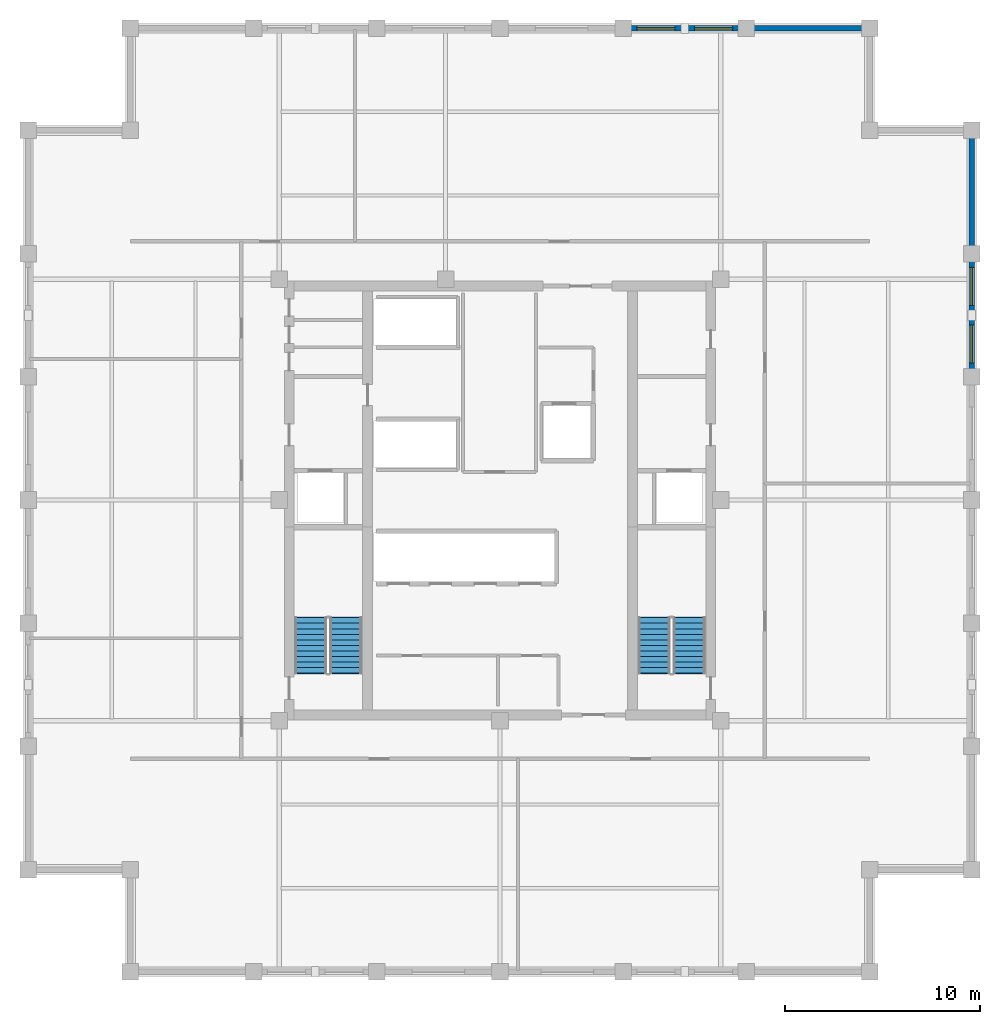
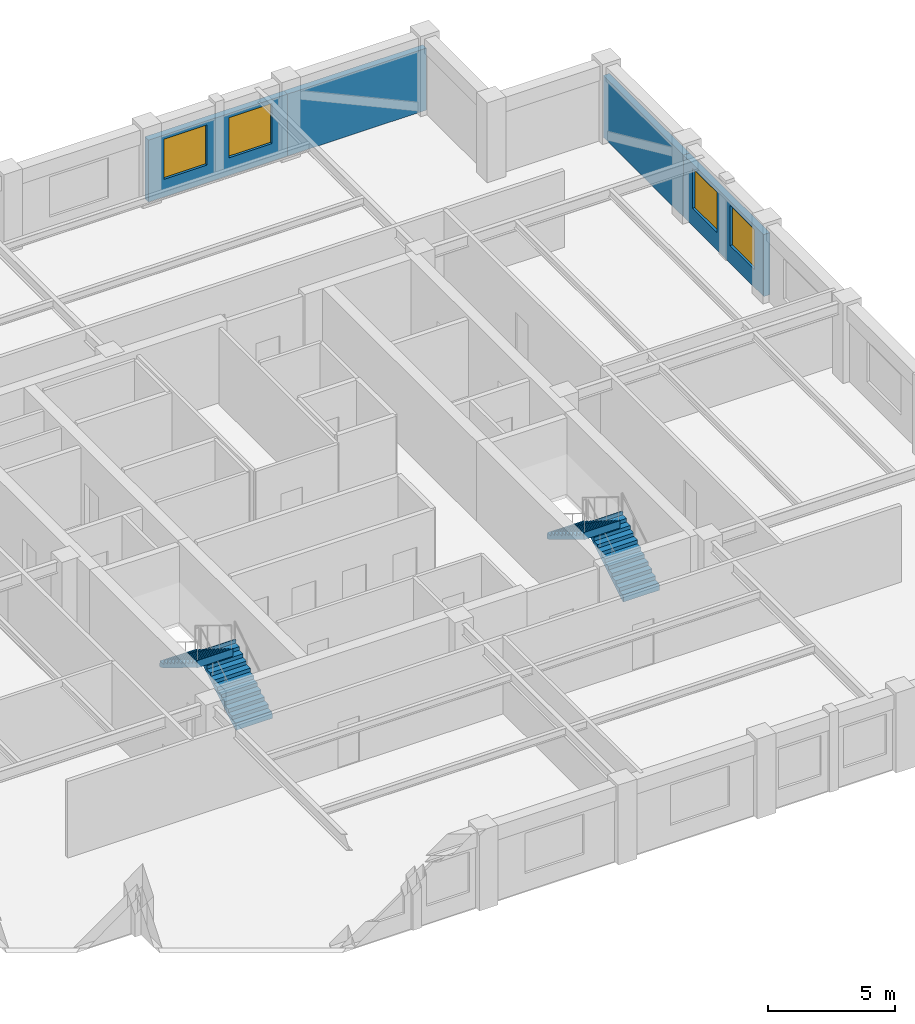
# One storey, part 5 of 6: 4 stair flights, 4 walls, 4 windows, 4 openings, 2 elements without a shape of their own.
"""IFC4 building model written with IfcOpenShell, lengths in metres."""

import ifcopenshell
import ifcopenshell.guid

model = None  # the IFC model being written
_history = None  # IfcOwnerHistory: only IFC2X3 demands one
_inside = {}  # id of a spatial element -> (the spatial element, [elements in it])
_under = {}  # id of a project, library or spatial element -> (it, [spatial elements below it])
_declared = {}  # id of a project -> (the project, [libraries it declares])
_typed = {}  # id of a type object -> (the type object, [elements of that type])
_made_of = {}  # id of a material, layer set ... -> (it, [elements and type objects made of it])


def new_model(schema):
    """Start an empty IFC model of exactly this schema.

    Asked for "IFC4X3", IfcOpenShell would pick the latest addendum, in which some entities
    have other attributes; the version numbers below select the first issue.
    IFC2X3 requires an IfcOwnerHistory on every rooted entity: one is made here for all.
    """
    global model, _history
    if schema == "IFC4X3":
        model = ifcopenshell.file(schema_version=(4, 3, 0, 0))
    else:
        model = ifcopenshell.file(schema=schema)
    _inside.clear()
    _under.clear()
    _declared.clear()
    _typed.clear()
    _made_of.clear()
    _history = None
    if model.schema == "IFC2X3":
        org = make("IfcOrganization", Name="unknown")
        user = make(
            "IfcPersonAndOrganization",
            ThePerson=make("IfcPerson", FamilyName="unknown"),
            TheOrganization=org,
        )
        app = make(
            "IfcApplication",
            ApplicationDeveloper=org,
            Version="unknown",
            ApplicationFullName="unknown",
            ApplicationIdentifier="unknown",
        )
        _history = make(
            "IfcOwnerHistory",
            OwningUser=user,
            OwningApplication=app,
            ChangeAction="ADDED",
            CreationDate=0,
        )
    return model


def make(cls, **values):
    """One entity of the class cls with the attributes given. An attribute that is None is left unset."""
    return model.create_entity(
        cls, **{name: value for name, value in values.items() if value is not None}
    )


def rooted(cls, **values):
    """An entity with a GlobalId (a new one), such as an element, a storey or a relation."""
    return make(cls, GlobalId=ifcopenshell.guid.new(), OwnerHistory=_history, **values)


def si_unit(unit_type, name, prefix=None):
    """IfcSIUnit, for example si_unit("LENGTHUNIT", "METRE", prefix="MILLI")."""
    return make("IfcSIUnit", UnitType=unit_type, Prefix=prefix, Name=name)


def assignment(units):
    """IfcUnitAssignment: the units of a project."""
    return None if units is None else make("IfcUnitAssignment", Units=units)


def point(xyz):
    """IfcCartesianPoint."""
    return None if xyz is None else make("IfcCartesianPoint", Coordinates=xyz)


def direction(xyz):
    """IfcDirection."""
    return None if xyz is None else make("IfcDirection", DirectionRatios=xyz)


def frame(location, z_axis=None, x_axis=None):
    """IfcAxis2Placement3D, a coordinate frame: its origin and axes. An axis left out is left unset."""
    return make(
        "IfcAxis2Placement3D",
        Location=point(location),
        Axis=direction(z_axis),
        RefDirection=direction(x_axis),
    )


def frame_2d(location, x_axis=None):
    """IfcAxis2Placement2D, a coordinate frame in the plane: its origin and x axis."""
    return make(
        "IfcAxis2Placement2D", Location=point(location), RefDirection=direction(x_axis)
    )


def origin():
    """The frame at (0, 0, 0) with its axes left unset."""
    return frame((0.0, 0.0, 0.0))


def place(relative_to, where):
    """IfcLocalPlacement: puts the frame where relative to a parent placement (None: the world)."""
    return make(
        "IfcLocalPlacement", PlacementRelTo=relative_to, RelativePlacement=where
    )


def context(
    kind, dimensions, precision=None, world=None, true_north=None, identifier=None
):
    """IfcGeometricRepresentationContext, for example the 3D "Model" context."""
    return make(
        "IfcGeometricRepresentationContext",
        ContextIdentifier=identifier,
        ContextType=kind,
        CoordinateSpaceDimension=dimensions,
        Precision=precision,
        WorldCoordinateSystem=world,
        TrueNorth=true_north,
    )


def subcontext(parent, identifier, kind, view, scale=None):
    """IfcGeometricRepresentationSubContext, for example "Body" below "Model"."""
    return make(
        "IfcGeometricRepresentationSubContext",
        ContextIdentifier=identifier,
        ContextType=kind,
        ParentContext=parent,
        TargetScale=scale,
        TargetView=view,
    )


def project(units=None, contexts=None):
    """IfcProject with its units and contexts."""
    return rooted(
        "IfcProject",
        Name="project",
        RepresentationContexts=contexts,
        UnitsInContext=assignment(units),
    )


def spatial(cls, under=None, at=None, **own):
    """A site, building, storey or space (cls), placed at a placement, below another one or the project."""
    s = rooted(cls, ObjectPlacement=at, **own)
    if under is not None:
        _under.setdefault(under.id(), (under, []))[1].append(s)
    return s


def polyline(points):
    """IfcPolyline through the points."""
    return make("IfcPolyline", Points=[point(p) for p in points])


def profile(cls, at=None, kind="AREA", **sizes):
    """A parametric profile (cls). Its sizes go by their IFC names, for example OverallWidth=200.0."""
    return make(cls, ProfileType=kind, Position=at, **sizes)


def rectangle(**sizes):
    """IfcRectangleProfileDef."""
    return profile("IfcRectangleProfileDef", **sizes)


def outline(outer, holes=None, kind="AREA"):
    """IfcArbitraryClosedProfileDef: a profile drawn as a closed curve; with holes, ...WithVoids."""
    if holes is None:
        return make("IfcArbitraryClosedProfileDef", ProfileType=kind, OuterCurve=outer)
    return make(
        "IfcArbitraryProfileDefWithVoids",
        ProfileType=kind,
        OuterCurve=outer,
        InnerCurves=holes,
    )


def extrude(swept, where, along, depth):
    """IfcExtrudedAreaSolid: the profile swept, set in the frame where, extruded along a direction by depth."""
    return make(
        "IfcExtrudedAreaSolid",
        SweptArea=swept,
        Position=where,
        ExtrudedDirection=direction(along),
        Depth=depth,
    )


def shape(context_of_items, identifier, shape_type, items):
    """IfcShapeRepresentation: the items that make up one representation, for example the "Body"."""
    return make(
        "IfcShapeRepresentation",
        ContextOfItems=context_of_items,
        RepresentationIdentifier=identifier,
        RepresentationType=shape_type,
        Items=items,
    )


def material(Name=None, Category=None):
    """IfcMaterial."""
    return make("IfcMaterial", Name=Name, Category=Category)


def layer(
    of_material, thickness, ventilated=None, Name=None, Category=None, Priority=None
):
    """IfcMaterialLayer: one layer of a wall or slab, of a material (None: an air gap)."""
    return make(
        "IfcMaterialLayer",
        Material=of_material,
        LayerThickness=thickness,
        IsVentilated=ventilated,
        Name=Name,
        Category=Category,
        Priority=Priority,
    )


def layer_set(layers, Name=None):
    """IfcMaterialLayerSet."""
    return make("IfcMaterialLayerSet", MaterialLayers=layers, LayerSetName=Name)


def made_of(thing, what):
    """Note that an element or type object is made of a material, layer set ...; save() writes the relation."""
    if what is not None:
        _made_of.setdefault(what.id(), (what, []))[1].append(thing)
    return thing


def type_object(cls, material=None, **own):
    """A type object (cls), such as IfcWallType, which elements share."""
    return made_of(rooted(cls, **own), material)


def element(
    cls,
    number,
    at=None,
    inside=None,
    cuts=None,
    type_object=None,
    material=None,
    context=None,
    identifier="Body",
    shape_type=None,
    held_by="IfcProductDefinitionShape",
    body=None,
    shapes=None,
    **own,
):
    """One element of the class cls, such as IfcWall. Its Tag is "e" and its number.

    at: its placement. inside: the storey or other place that contains it. cuts: it is an
    opening in that element (IfcRelVoidsElement). A single representation is given by context,
    identifier, shape_type and body (its items); several are given by shapes. held_by: the class
    of the entity that holds the representations. save() writes the other relations.
    """
    e = rooted(cls, Tag="e%d" % number, ObjectPlacement=at, **own)
    if body is not None:
        shapes = [shape(context, identifier, shape_type, body)]
    if shapes is not None:
        e.Representation = make(held_by, Representations=shapes)
    if inside is not None:
        _inside.setdefault(inside.id(), (inside, []))[1].append(e)
    if cuts is not None:
        rooted(
            "IfcRelVoidsElement", RelatingBuildingElement=cuts, RelatedOpeningElement=e
        )
    if type_object is not None:
        _typed.setdefault(type_object.id(), (type_object, []))[1].append(e)
    return made_of(e, material)


def fill(opening, filler):
    """IfcRelFillsElement: the door or window that sits in an opening."""
    return rooted(
        "IfcRelFillsElement",
        RelatingOpeningElement=opening,
        RelatedBuildingElement=filler,
    )


def aggregate(whole, parts):
    """IfcRelAggregates: a whole, such as a stair, and the parts it consists of."""
    return rooted("IfcRelAggregates", RelatingObject=whole, RelatedObjects=parts)


def save(model, path):
    """Write the relations noted so far, then the file.

    IfcRelAggregates (storeys below a building ...), IfcRelContainedInSpatialStructure (elements
    in a storey), IfcRelDefinesByType, IfcRelAssociatesMaterial and IfcRelDeclares: one each for
    every whole, place, type object, material and project.
    """
    for whole, parts in _under.values():
        aggregate(whole, parts)
    for where, things in _inside.values():
        rooted(
            "IfcRelContainedInSpatialStructure",
            RelatedElements=things,
            RelatingStructure=where,
        )
    for kind, things in _typed.values():
        rooted("IfcRelDefinesByType", RelatedObjects=things, RelatingType=kind)
    for what, things in _made_of.values():
        rooted("IfcRelAssociatesMaterial", RelatedObjects=things, RelatingMaterial=what)
    for by, libraries in _declared.values():
        rooted("IfcRelDeclares", RelatingContext=by, RelatedDefinitions=libraries)
    model.write(path)


model = new_model("IFC4")

# Units and contexts
model_context = context("Model", 3, precision=1e-05, world=origin(), true_north=direction((0.0, 1.0)))
body_context = subcontext(model_context, "Body", "Model", "MODEL_VIEW")
ifc_project = project(units=[si_unit("LENGTHUNIT", "METRE"), si_unit("AREAUNIT", "SQUARE_METRE"), si_unit("VOLUMEUNIT", "CUBIC_METRE"), si_unit("PLANEANGLEUNIT", "RADIAN"), si_unit("MASSUNIT", "GRAM", prefix="KILO")], contexts=[model_context])

# Site, building, storey
site_placement = place(None, origin())
site = spatial("IfcSite", under=ifc_project, at=site_placement, CompositionType="ELEMENT")
building_placement = place(site_placement, origin())
building = spatial("IfcBuilding", under=site, at=building_placement, Name="Nhamokura Convention Tower", CompositionType="ELEMENT")
storey_placement = place(building_placement, frame((0.0, 0.0, 217.699951171875)))
storey = spatial("IfcBuildingStorey", under=building, at=storey_placement, Name="L53", CompositionType="ELEMENT", Elevation=217.699951171875)

# Wall, openings, windows
ifc_material_1 = material(Name="Bronze-pigmented precast concrete C45/55", Category="concrete")
ifc_layer = layer(ifc_material_1, 0.280029296875)
ifc_layer_set = layer_set([ifc_layer], Name="BronzePrecastSpandrel_280")
wall_type = type_object("IfcWallType", Name="BronzePrecastSpandrel_280", PredefinedType="USERDEFINED", material=ifc_layer_set)
wall_1_placement = place(storey_placement, frame((38.333251953125, 56.25, 0.0), z_axis=(0.0, 0.0, 1.0), x_axis=(1.0, 0.0, 0.0)))
wall_1 = element("IfcWall", 1, at=wall_1_placement, inside=storey, type_object=wall_type, Name="L53 Masonry-Frame Wall NORTH 4", ObjectType="SPANDREL_WALL", PredefinedType="USERDEFINED", context=body_context, shape_type="SweptSolid", body=[
    extrude(rectangle(XDim=6.33349609375, YDim=0.280029296875, at=frame_2d((3.166748046875, 0.0))), origin(), (0.0, 0.0, 1.0), 2.985107421875),
])
opening_1_placement = place(wall_1_placement, frame((0.708251953125, 0.0, 0.85009765625)))
opening_1 = element("IfcOpeningElement", 2, at=opening_1_placement, cuts=wall_1, Name="Opening W-08", PredefinedType="OPENING", context=body_context, shape_type="SweptSolid", body=[
    extrude(rectangle(XDim=1.949951171875, YDim=1.93505859375, at=frame_2d((0.97509765625, 0.967529296875))), frame((0.0, 0.14990234375, 0.0), z_axis=(0.0, -1.0, 0.0), x_axis=(1.0, 0.0, 0.0)), (0.0, 0.0, 1.0), 0.300048828125),
])
opening_2_placement = place(wall_1_placement, frame((3.675048828125, 0.0, 0.85009765625)))
opening_2 = element("IfcOpeningElement", 3, at=opening_2_placement, cuts=wall_1, Name="Opening W-08", PredefinedType="OPENING", context=body_context, shape_type="SweptSolid", body=[
    extrude(rectangle(XDim=1.949951171875, YDim=1.93505859375, at=frame_2d((0.97509765625, 0.967529296875))), frame((0.0, 0.14990234375, 0.0), z_axis=(0.0, -1.0, 0.0), x_axis=(1.0, 0.0, 0.0)), (0.0, 0.0, 1.0), 0.300048828125),
])
ifc_material_2 = material(Name="Solar-control bronze low-E double glass", Category="glass")
window_type = type_object("IfcWindowType", Name="OfficeModuleWindow_Z3_1950", PartitioningType="SINGLE_PANEL", PredefinedType="WINDOW", material=ifc_material_2)
window_1_placement = place(opening_1_placement, origin())
window_1 = element("IfcWindow", 4, at=window_1_placement, inside=storey, type_object=window_type, Name="L53 Facade Window NORTH 4-1", OverallHeight=1.93505859375, OverallWidth=1.949951171875, PartitioningType="SINGLE_PANEL", PredefinedType="WINDOW", context=body_context, shape_type="SweptSolid", body=[
    extrude(rectangle(XDim=1.949951171875, YDim=1.93505859375, at=frame_2d((0.97509765625, 0.967529296875))), frame((0.0, 0.030029296875, 0.0), z_axis=(0.0, -1.0, 0.0), x_axis=(1.0, 0.0, 0.0)), (0.0, 0.0, 1.0), 0.06005859375),
])
fill(opening_1, window_1)
window_2_placement = place(opening_2_placement, origin())
window_2 = element("IfcWindow", 5, at=window_2_placement, inside=storey, type_object=window_type, Name="L53 Facade Window NORTH 4-2", OverallHeight=1.93505859375, OverallWidth=1.949951171875, PartitioningType="SINGLE_PANEL", PredefinedType="WINDOW", context=body_context, shape_type="SweptSolid", body=[
    extrude(rectangle(XDim=1.949951171875, YDim=1.93505859375, at=frame_2d((0.97509765625, 0.967529296875))), frame((0.0, 0.030029296875, 0.0), z_axis=(0.0, -1.0, 0.0), x_axis=(1.0, 0.0, 0.0)), (0.0, 0.0, 1.0), 0.06005859375),
])
fill(opening_2, window_2)

# Wall
wall_2_placement = place(storey_placement, frame((44.666748046875, 56.25, 0.0), z_axis=(0.0, 0.0, 1.0), x_axis=(1.0, 0.0, 0.0)))
element("IfcWall", 6, at=wall_2_placement, inside=storey, type_object=wall_type, Name="L53 Braced-Bay Precast Wall NORTH 5", ObjectType="SPANDREL_WALL", PredefinedType="USERDEFINED", context=body_context, shape_type="SweptSolid", body=[
    extrude(rectangle(XDim=6.333251953125, YDim=0.280029296875, at=frame_2d((3.16650390625, 0.0))), origin(), (0.0, 0.0, 1.0), 2.985107421875),
])

# Wall, openings, windows
wall_3_placement = place(storey_placement, frame((56.25, 44.666748046875, 0.0), z_axis=(0.0, 0.0, 1.0), x_axis=(0.0, -1.0, 0.0)))
wall_3 = element("IfcWall", 7, at=wall_3_placement, inside=storey, type_object=wall_type, Name="L53 Masonry-Frame Wall EAST 4", ObjectType="SPANDREL_WALL", PredefinedType="USERDEFINED", context=body_context, shape_type="SweptSolid", body=[
    extrude(rectangle(XDim=6.33349609375, YDim=0.280029296875, at=frame_2d((3.166748046875, 0.0))), origin(), (0.0, 0.0, 1.0), 2.985107421875),
])
opening_3_placement = place(wall_3_placement, frame((0.708251953125, 0.0, 0.85009765625)))
opening_3 = element("IfcOpeningElement", 8, at=opening_3_placement, cuts=wall_3, Name="Opening W-08", PredefinedType="OPENING", context=body_context, shape_type="SweptSolid", body=[
    extrude(rectangle(XDim=1.949951171875, YDim=1.93505859375, at=frame_2d((0.97509765625, 0.967529296875))), frame((0.0, 0.14990234375, 0.0), z_axis=(0.0, -1.0, 0.0), x_axis=(1.0, 0.0, 0.0)), (0.0, 0.0, 1.0), 0.300048828125),
])
opening_4_placement = place(wall_3_placement, frame((3.675048828125, 0.0, 0.85009765625)))
opening_4 = element("IfcOpeningElement", 9, at=opening_4_placement, cuts=wall_3, Name="Opening W-08", PredefinedType="OPENING", context=body_context, shape_type="SweptSolid", body=[
    extrude(rectangle(XDim=1.949951171875, YDim=1.93505859375, at=frame_2d((0.97509765625, 0.967529296875))), frame((0.0, 0.14990234375, 0.0), z_axis=(0.0, -1.0, 0.0), x_axis=(1.0, 0.0, 0.0)), (0.0, 0.0, 1.0), 0.300048828125),
])
window_3_placement = place(opening_3_placement, origin())
window_3 = element("IfcWindow", 10, at=window_3_placement, inside=storey, type_object=window_type, Name="L53 Facade Window EAST 4-1", OverallHeight=1.93505859375, OverallWidth=1.949951171875, PartitioningType="SINGLE_PANEL", PredefinedType="WINDOW", context=body_context, shape_type="SweptSolid", body=[
    extrude(rectangle(XDim=1.949951171875, YDim=1.93505859375, at=frame_2d((0.97509765625, 0.967529296875))), frame((0.0, 0.030029296875, 0.0), z_axis=(0.0, -1.0, 0.0), x_axis=(1.0, 0.0, 0.0)), (0.0, 0.0, 1.0), 0.06005859375),
])
fill(opening_3, window_3)
window_4_placement = place(opening_4_placement, origin())
window_4 = element("IfcWindow", 11, at=window_4_placement, inside=storey, type_object=window_type, Name="L53 Facade Window EAST 4-2", OverallHeight=1.93505859375, OverallWidth=1.949951171875, PartitioningType="SINGLE_PANEL", PredefinedType="WINDOW", context=body_context, shape_type="SweptSolid", body=[
    extrude(rectangle(XDim=1.949951171875, YDim=1.93505859375, at=frame_2d((0.97509765625, 0.967529296875))), frame((0.0, 0.030029296875, 0.0), z_axis=(0.0, -1.0, 0.0), x_axis=(1.0, 0.0, 0.0)), (0.0, 0.0, 1.0), 0.06005859375),
])
fill(opening_4, window_4)

# Wall
wall_4_placement = place(storey_placement, frame((56.25, 51.0, 0.0), z_axis=(0.0, 0.0, 1.0), x_axis=(0.0, -1.0, 0.0)))
element("IfcWall", 12, at=wall_4_placement, inside=storey, type_object=wall_type, Name="L53 Braced-Bay Precast Wall EAST 5", ObjectType="SPANDREL_WALL", PredefinedType="USERDEFINED", context=body_context, shape_type="SweptSolid", body=[
    extrude(rectangle(XDim=6.333251953125, YDim=0.280029296875, at=frame_2d((3.16650390625, 0.0))), origin(), (0.0, 0.0, 1.0), 2.985107421875),
])

# Stair, stair flights
ifc_material_3 = material(Name="Concrete C40/50", Category="concrete")
stair_type = type_object("IfcStairType", Name="TowerCoreStair_1650", PredefinedType="HALF_TURN_STAIR", material=ifc_material_3)
stair_1_placement = place(storey_placement, origin())
stair_1 = element("IfcStair", 13, at=stair_1_placement, inside=storey, type_object=stair_type, Name="L53 West Core Smokeproof Stair ST-01", PredefinedType="HALF_TURN_STAIR")
ifc_material_4 = material(Name="Concrete C40/50", Category="concrete")
stair_flight_type = type_object("IfcStairFlightType", Name="TowerCoreStair_1650_Flight", PredefinedType="STRAIGHT", material=ifc_material_4)
stair_flight_1_placement = place(storey_placement, frame((24.074951171875, 23.10009765625, 0.0), z_axis=(0.0, 0.0, 1.0), x_axis=(0.0, 1.0, 0.0)))
stair_flight_1 = element("IfcStairFlight", 14, at=stair_flight_1_placement, type_object=stair_flight_type, Name="ST-01 flight 1", NumberOfRisers=11, NumberOfTreads=10, PredefinedType="STRAIGHT", RiserHeight=0.175, TreadLength=0.285, context=body_context, shape_type="SweptSolid", body=[
    extrude(outline(polyline([(-0.0419921875, 0.0), (0.0, 0.175048828125), (0.284912109375, 0.175048828125), (0.284912109375, 0.35009765625), (0.570068359375, 0.35009765625), (0.570068359375, 0.52490234375), (0.85498046875, 0.52490234375), (0.85498046875, 0.699951171875), (1.139892578125, 0.699951171875), (1.139892578125, 0.875), (1.425048828125, 0.875), (1.425048828125, 1.050048828125), (1.7099609375, 1.050048828125), (1.7099609375, 1.22509765625), (1.9951171875, 1.22509765625), (1.9951171875, 1.39990234375), (2.280029296875, 1.39990234375), (2.280029296875, 1.574951171875), (2.56494140625, 1.574951171875), (2.56494140625, 1.75), (2.85009765625, 1.75), (2.85009765625, 1.925048828125), (2.89208984375, 1.925048828125), (2.89208984375, 1.573974609375), (2.85009765625, 1.573974609375), (0.286376953125, 0.0), (0.02001953125, -0.1298828125), (-0.0419921875, -0.1298828125), (-0.0419921875, 0.0)])), frame((0.0, 0.824951171875, 0.0), z_axis=(0.0, -1.0, 0.0), x_axis=(1.0, 0.0, 0.0)), (0.0, 0.0, 1.0), 1.64990234375),
])
stair_flight_2_placement = place(storey_placement, frame((22.27490234375, 25.949951171875, 1.925048828125), z_axis=(0.0, 0.0, 1.0), x_axis=(0.0, -1.0, 0.0)))
stair_flight_2 = element("IfcStairFlight", 15, at=stair_flight_2_placement, type_object=stair_flight_type, Name="ST-01 flight 2", NumberOfRisers=11, NumberOfTreads=10, PredefinedType="STRAIGHT", RiserHeight=0.175, TreadLength=0.285, context=body_context, shape_type="SweptSolid", body=[
    extrude(outline(polyline([(-0.0419921875, 0.0), (0.0, 0.175048828125), (0.284912109375, 0.175048828125), (0.284912109375, 0.35009765625), (0.570068359375, 0.35009765625), (0.570068359375, 0.52490234375), (0.85498046875, 0.52490234375), (0.85498046875, 0.699951171875), (1.139892578125, 0.699951171875), (1.139892578125, 0.875), (1.425048828125, 0.875), (1.425048828125, 1.050048828125), (1.7099609375, 1.050048828125), (1.7099609375, 1.22509765625), (1.9951171875, 1.22509765625), (1.9951171875, 1.39990234375), (2.280029296875, 1.39990234375), (2.280029296875, 1.574951171875), (2.56494140625, 1.574951171875), (2.56494140625, 1.75), (2.85009765625, 1.75), (2.85009765625, 1.925048828125), (2.89208984375, 1.925048828125), (2.89208984375, 1.573974609375), (2.85009765625, 1.573974609375), (0.286376953125, 0.0), (0.02001953125, -0.1298828125), (-0.0419921875, -0.1298828125), (-0.0419921875, 0.0)])), frame((0.0, 0.824951171875, 0.0), z_axis=(0.0, -1.0, 0.0), x_axis=(1.0, 0.0, 0.0)), (0.0, 0.0, 1.0), 1.64990234375),
])
aggregate(stair_1, [stair_flight_1, stair_flight_2])

stair_2_placement = place(storey_placement, origin())
stair_2 = element("IfcStair", 16, at=stair_2_placement, inside=storey, type_object=stair_type, Name="L53 East Core Smokeproof Stair ST-02", PredefinedType="HALF_TURN_STAIR")
stair_flight_3_placement = place(storey_placement, frame((41.72509765625, 23.10009765625, 0.0), z_axis=(0.0, 0.0, 1.0), x_axis=(0.0, 1.0, 0.0)))
stair_flight_3 = element("IfcStairFlight", 17, at=stair_flight_3_placement, type_object=stair_flight_type, Name="ST-02 flight 1", NumberOfRisers=11, NumberOfTreads=10, PredefinedType="STRAIGHT", RiserHeight=0.175, TreadLength=0.285, context=body_context, shape_type="SweptSolid", body=[
    extrude(outline(polyline([(-0.0419921875, 0.0), (0.0, 0.175048828125), (0.284912109375, 0.175048828125), (0.284912109375, 0.35009765625), (0.570068359375, 0.35009765625), (0.570068359375, 0.52490234375), (0.85498046875, 0.52490234375), (0.85498046875, 0.699951171875), (1.139892578125, 0.699951171875), (1.139892578125, 0.875), (1.425048828125, 0.875), (1.425048828125, 1.050048828125), (1.7099609375, 1.050048828125), (1.7099609375, 1.22509765625), (1.9951171875, 1.22509765625), (1.9951171875, 1.39990234375), (2.280029296875, 1.39990234375), (2.280029296875, 1.574951171875), (2.56494140625, 1.574951171875), (2.56494140625, 1.75), (2.85009765625, 1.75), (2.85009765625, 1.925048828125), (2.89208984375, 1.925048828125), (2.89208984375, 1.573974609375), (2.85009765625, 1.573974609375), (0.286376953125, 0.0), (0.02001953125, -0.1298828125), (-0.0419921875, -0.1298828125), (-0.0419921875, 0.0)])), frame((0.0, 0.824951171875, 0.0), z_axis=(0.0, -1.0, 0.0), x_axis=(1.0, 0.0, 0.0)), (0.0, 0.0, 1.0), 1.64990234375),
])
stair_flight_4_placement = place(storey_placement, frame((39.925048828125, 25.949951171875, 1.925048828125), z_axis=(0.0, 0.0, 1.0), x_axis=(0.0, -1.0, 0.0)))
stair_flight_4 = element("IfcStairFlight", 18, at=stair_flight_4_placement, type_object=stair_flight_type, Name="ST-02 flight 2", NumberOfRisers=11, NumberOfTreads=10, PredefinedType="STRAIGHT", RiserHeight=0.175, TreadLength=0.285, context=body_context, shape_type="SweptSolid", body=[
    extrude(outline(polyline([(-0.0419921875, 0.0), (0.0, 0.175048828125), (0.284912109375, 0.175048828125), (0.284912109375, 0.35009765625), (0.570068359375, 0.35009765625), (0.570068359375, 0.52490234375), (0.85498046875, 0.52490234375), (0.85498046875, 0.699951171875), (1.139892578125, 0.699951171875), (1.139892578125, 0.875), (1.425048828125, 0.875), (1.425048828125, 1.050048828125), (1.7099609375, 1.050048828125), (1.7099609375, 1.22509765625), (1.9951171875, 1.22509765625), (1.9951171875, 1.39990234375), (2.280029296875, 1.39990234375), (2.280029296875, 1.574951171875), (2.56494140625, 1.574951171875), (2.56494140625, 1.75), (2.85009765625, 1.75), (2.85009765625, 1.925048828125), (2.89208984375, 1.925048828125), (2.89208984375, 1.573974609375), (2.85009765625, 1.573974609375), (0.286376953125, 0.0), (0.02001953125, -0.1298828125), (-0.0419921875, -0.1298828125), (-0.0419921875, 0.0)])), frame((0.0, 0.824951171875, 0.0), z_axis=(0.0, -1.0, 0.0), x_axis=(1.0, 0.0, 0.0)), (0.0, 0.0, 1.0), 1.64990234375),
])
aggregate(stair_2, [stair_flight_3, stair_flight_4])

save(model, "model.ifc")
